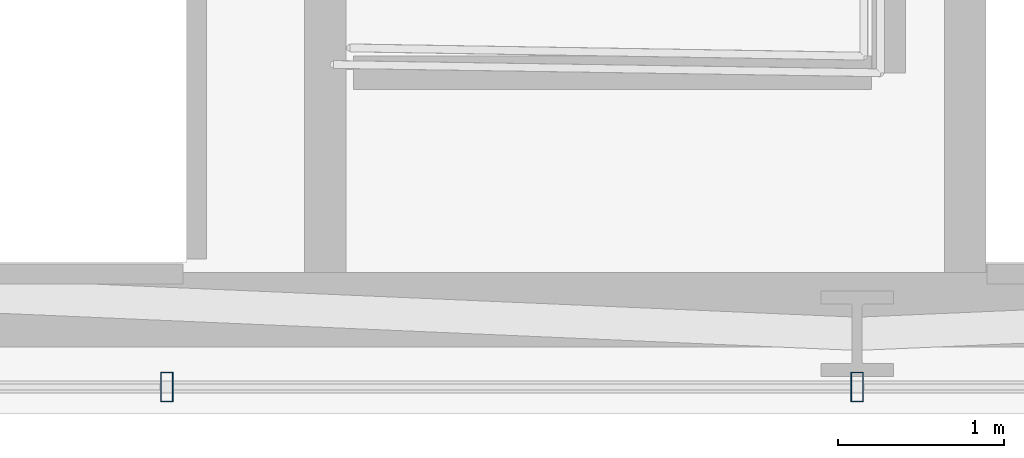
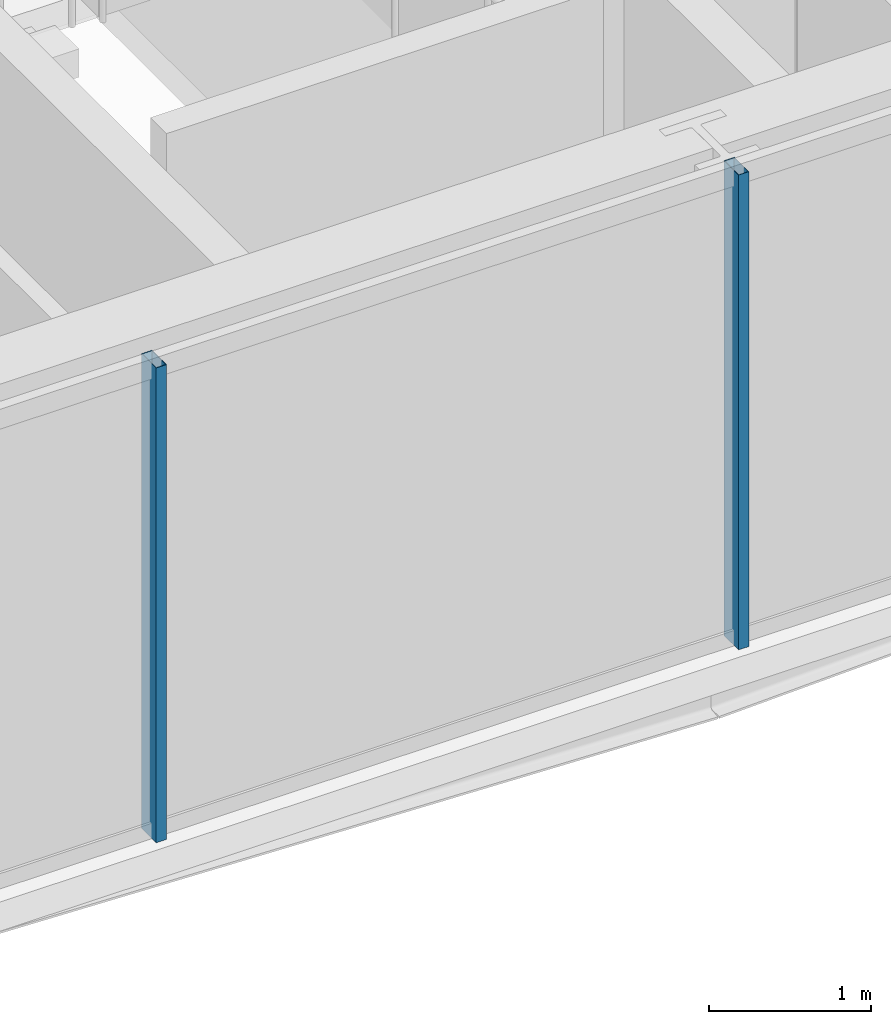
# One storey, part 7 of 32: 2 members, 1 element without a shape of its own.
"""IFC4 building model written with IfcOpenShell, lengths in metres."""

from ifc_helpers import new_model, si_unit, direction, frame, origin, origin_2d, place, context, subcontext, project, spatial, hollow_rectangle, extrude, material, layer, layer_set, material_profile, profile_set, type_object, element, aggregate, save


model = new_model("IFC4")

# Units and contexts
model_context = context("Model", 3, precision=1e-05, world=origin(), true_north=direction((0.0, 1.0)))
body_context = subcontext(model_context, "Body", "Model", "MODEL_VIEW")
ifc_project = project(units=[si_unit("LENGTHUNIT", "METRE"), si_unit("AREAUNIT", "SQUARE_METRE"), si_unit("VOLUMEUNIT", "CUBIC_METRE"), si_unit("PLANEANGLEUNIT", "RADIAN"), si_unit("MASSUNIT", "GRAM", prefix="KILO")], contexts=[model_context])

# Site, building, storey
site_placement = place(None, origin())
site = spatial("IfcSite", under=ifc_project, at=site_placement, CompositionType="ELEMENT")
building_placement = place(site_placement, origin())
building = spatial("IfcBuilding", under=site, at=building_placement, Name="Ndaravel Arena Tower", CompositionType="ELEMENT")
storey_placement = place(building_placement, frame((0.0, 0.0, 96.800048828125)))
storey = spatial("IfcBuildingStorey", under=building, at=storey_placement, Name="L22", CompositionType="ELEMENT", Elevation=96.800048828125)

# Curtain wall, members
ifc_material_1 = material(Name="Aluminium", Category="aluminium")
ifc_layer = layer(ifc_material_1, 0.179931640625)
ifc_layer_set = layer_set([ifc_layer], Name="Aluminium")
curtain_wall_type = type_object("IfcCurtainWallType", Name="CW-SYS-03", PredefinedType="NOTDEFINED", material=ifc_layer_set)
curtain_wall_placement = place(storey_placement, origin())
curtain_wall = element("IfcCurtainWall", 1, at=curtain_wall_placement, inside=storey, type_object=curtain_wall_type, Name="L22 Faceted Crystal Curtain Wall CW-L22-E01", PredefinedType="NOTDEFINED")
ifc_material_2 = material(Name="Aluminium", Category="aluminium")
ifc_material_profile = material_profile(ifc_material_2, hollow_rectangle(XDim=0.074951171875, YDim=0.179931640625, WallThickness=0.00390625, at=origin_2d()), Name="CW MULLION 75x180x4")
ifc_profile_set = profile_set([ifc_material_profile], Name="Aluminium")
member_type = type_object("IfcMemberType", Name="MEM-CW-MUL180", PredefinedType="MULLION", material=ifc_profile_set)
member_1_placement = place(storey_placement, frame((37.846923828125, 5.159912109375, 0.0), z_axis=(0.0, 0.0, 1.0), x_axis=(1.0, 0.0, 0.0)))
member_1 = element("IfcMember", 2, at=member_1_placement, type_object=member_type, Name="CW-L22-E01 Mullion 03", PredefinedType="MULLION", context=body_context, shape_type="SweptSolid", body=[
    extrude(hollow_rectangle(XDim=0.074951171875, YDim=0.179931640625, WallThickness=0.00390625, at=origin_2d()), origin(), (0.0, 0.0, 1.0), 3.579833984375),
])
member_2_placement = place(storey_placement, frame((42.0, 5.159912109375, 0.0), z_axis=(0.0, 0.0, 1.0), x_axis=(1.0, 0.0, 0.0)))
member_2 = element("IfcMember", 3, at=member_2_placement, type_object=member_type, Name="CW-L22-E01 Mullion 04", PredefinedType="MULLION", context=body_context, shape_type="SweptSolid", body=[
    extrude(hollow_rectangle(XDim=0.074951171875, YDim=0.179931640625, WallThickness=0.00390625, at=origin_2d()), origin(), (0.0, 0.0, 1.0), 3.579833984375),
])
aggregate(curtain_wall, [member_1, member_2])

save(model, "model.ifc")
